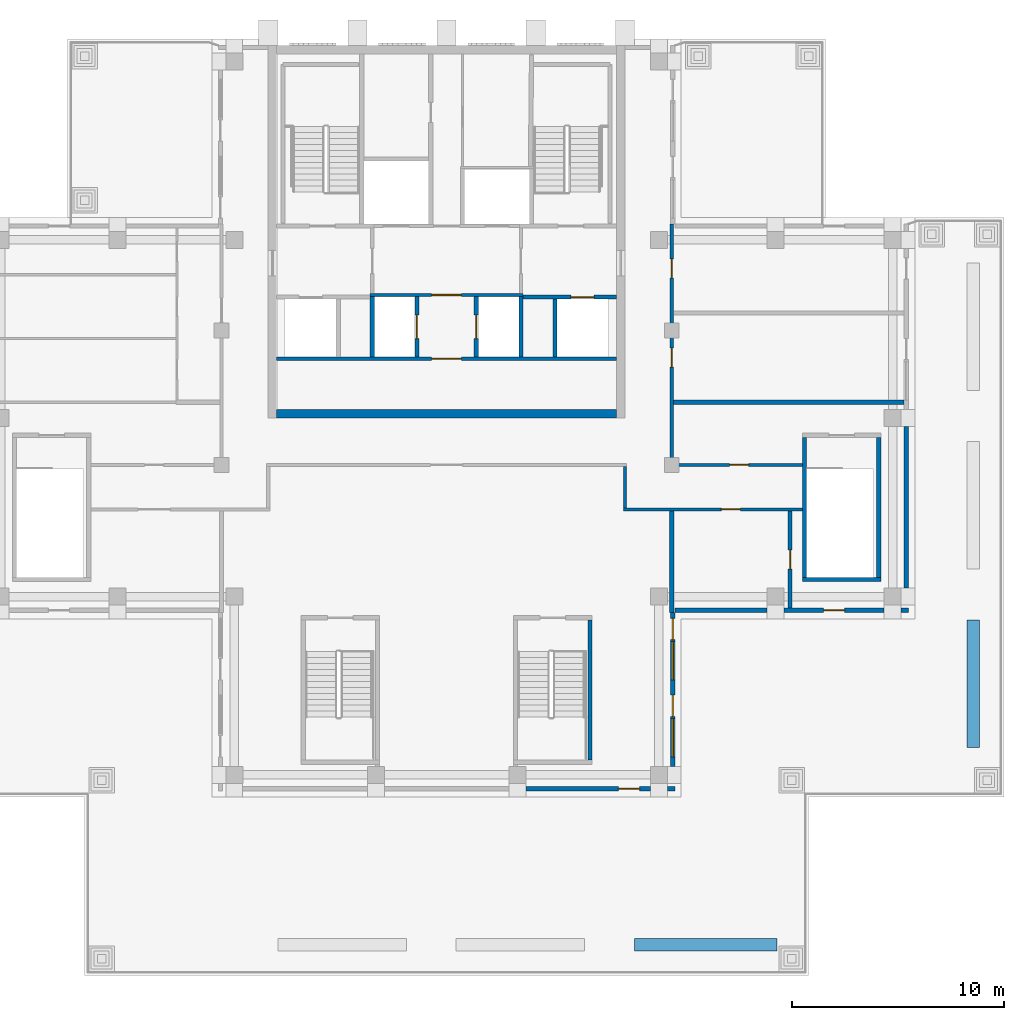
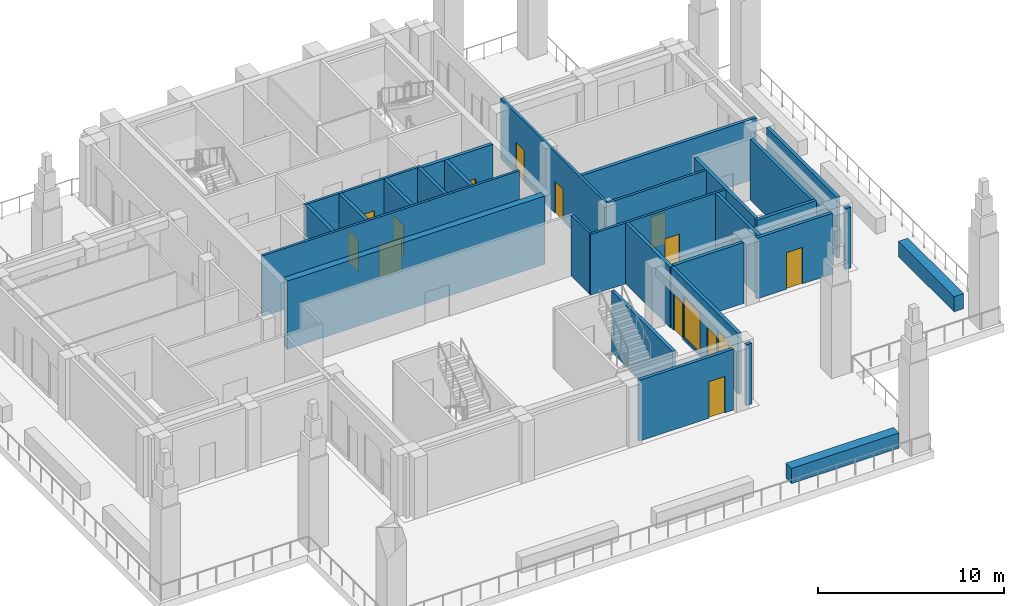
# One storey, part 3 of 10: 29 walls, 14 doors, 2 windows, 16 openings.
"""IFC4 building model written with IfcOpenShell, lengths in metres."""

from ifc_helpers import new_model, si_unit, direction, frame, frame_2d, origin, place, context, subcontext, project, spatial, rectangle, extrude, material, layer, layer_set, type_object, element, fill, save


model = new_model("IFC4")

# Units and contexts
model_context = context("Model", 3, precision=1e-05, world=origin(), true_north=direction((0.0, 1.0)))
body_context = subcontext(model_context, "Body", "Model", "MODEL_VIEW")
ifc_project = project(units=[si_unit("LENGTHUNIT", "METRE"), si_unit("AREAUNIT", "SQUARE_METRE"), si_unit("VOLUMEUNIT", "CUBIC_METRE"), si_unit("PLANEANGLEUNIT", "RADIAN"), si_unit("MASSUNIT", "GRAM", prefix="KILO")], contexts=[model_context])

# Site, building, storey
site_placement = place(None, origin())
site = spatial("IfcSite", under=ifc_project, at=site_placement, CompositionType="ELEMENT")
building_placement = place(site_placement, origin())
building = spatial("IfcBuilding", under=site, at=building_placement, Name="Vermilion Ogive Tower", CompositionType="ELEMENT")
storey_placement = place(building_placement, frame((0.0, 0.0, 269.35009765625)))
storey = spatial("IfcBuildingStorey", under=building, at=storey_placement, Name="L71", CompositionType="ELEMENT", Elevation=269.35009765625)

# Wall
ifc_material_1 = material(Name="Concrete B60", Category="concrete")
ifc_layer_1 = layer(ifc_material_1, 0.39990234375)
ifc_layer_set_1 = layer_set([ifc_layer_1], Name="Core wall 400 B60")
wall_type_1 = type_object("IfcWallType", Name="Core wall 400 B60", PredefinedType="SHEAR", material=ifc_layer_set_1)
wall_1_placement = place(storey_placement, frame((-8.0, 4.39990234375, -0.5), z_axis=(0.0, 0.0, 1.0), x_axis=(1.0, 0.0, 0.0)))
element("IfcWall", 1, at=wall_1_placement, inside=storey, type_object=wall_type_1, Name="L71-CORE-S", PredefinedType="SHEAR", context=body_context, shape_type="SweptSolid", body=[
    extrude(rectangle(XDim=16.0, YDim=0.39990234375, at=frame_2d((8.0, 0.0))), origin(), (0.0, 0.0, 1.0), 4.5),
])

# Wall, opening, door
ifc_material_2 = material(Name="Gypsum board partition on steel studs", Category="steel")
ifc_layer_2 = layer(ifc_material_2, 0.14990234375)
ifc_layer_set_2 = layer_set([ifc_layer_2], Name="Partition 150 corridor")
wall_type_2 = type_object("IfcWallType", Name="Partition 150 corridor", PredefinedType="PARTITIONING", material=ifc_layer_set_2)
wall_2_placement = place(storey_placement, frame((8.324951171875, -0.10009765625, 0.0), z_axis=(0.0, 0.0, 1.0), x_axis=(1.0, 0.0, 0.0)))
wall_2 = element("IfcWall", 2, at=wall_2_placement, inside=storey, type_object=wall_type_2, Name="L71-FS-W-W002", PredefinedType="PARTITIONING", context=body_context, shape_type="SweptSolid", body=[
    extrude(rectangle(XDim=8.425048828125, YDim=0.14990234375, at=frame_2d((4.21240234375, 0.0))), origin(), (0.0, 0.0, 1.0), 4.0),
])
opening_1_placement = place(wall_2_placement, frame((4.612548828125, 0.0, 0.0)))
opening_1 = element("IfcOpeningElement", 3, at=opening_1_placement, cuts=wall_2, Name="Opening L71S003", PredefinedType="OPENING", context=body_context, shape_type="SweptSolid", body=[
    extrude(rectangle(XDim=0.89990234375, YDim=2.10009765625, at=frame_2d((0.449951171875, 1.050048828125))), frame((0.0, 0.0849609375, 0.0), z_axis=(0.0, -1.0, 0.0), x_axis=(1.0, 0.0, 0.0)), (0.0, 0.0, 1.0), 0.169921875),
])
ifc_material_3 = material(Name="Timber door leaf", Category="wood")
door_type_1 = type_object("IfcDoorType", Name="Room door 900 x 2100 FD30", OperationType="SINGLE_SWING_LEFT", PredefinedType="DOOR", material=ifc_material_3)
door_1_placement = place(opening_1_placement, origin())
door_1 = element("IfcDoor", 4, at=door_1_placement, inside=storey, type_object=door_type_1, Name="L71-FS-D-D003", OperationType="SINGLE_SWING_LEFT", OverallHeight=2.10009765625, OverallWidth=0.89990234375, PredefinedType="DOOR", context=body_context, shape_type="SweptSolid", body=[
    extrude(rectangle(XDim=0.89990234375, YDim=2.10009765625, at=frame_2d((0.449951171875, 1.050048828125))), frame((0.0, 0.02490234375, 0.0), z_axis=(0.0, -1.0, 0.0), x_axis=(1.0, 0.0, 0.0)), (0.0, 0.0, 1.0), 0.050048828125),
])
fill(opening_1, door_1)

wall_3_placement = place(storey_placement, frame((10.52490234375, 2.0, 0.0), z_axis=(0.0, 0.0, 1.0), x_axis=(1.0, 0.0, 0.0)))
wall_3 = element("IfcWall", 5, at=wall_3_placement, inside=storey, type_object=wall_type_2, Name="L71-FS-W-W005", PredefinedType="PARTITIONING", context=body_context, shape_type="SweptSolid", body=[
    extrude(rectangle(XDim=6.22509765625, YDim=0.14990234375, at=frame_2d((3.112548828125, 0.0))), origin(), (0.0, 0.0, 1.0), 4.0),
])
opening_2_placement = place(wall_3_placement, frame((2.800048828125, 0.0, 0.0)))
opening_2 = element("IfcOpeningElement", 6, at=opening_2_placement, cuts=wall_3, Name="Opening L71S010", PredefinedType="OPENING", context=body_context, shape_type="SweptSolid", body=[
    extrude(rectangle(XDim=0.89990234375, YDim=2.10009765625, at=frame_2d((0.449951171875, 1.050048828125))), frame((0.0, 0.0849609375, 0.0), z_axis=(0.0, -1.0, 0.0), x_axis=(1.0, 0.0, 0.0)), (0.0, 0.0, 1.0), 0.169921875),
])
door_2_placement = place(opening_2_placement, origin())
door_2 = element("IfcDoor", 7, at=door_2_placement, inside=storey, type_object=door_type_1, Name="L71-FS-D-D010", OperationType="SINGLE_SWING_RIGHT", OverallHeight=2.10009765625, OverallWidth=0.89990234375, PredefinedType="DOOR", context=body_context, shape_type="SweptSolid", body=[
    extrude(rectangle(XDim=0.89990234375, YDim=2.10009765625, at=frame_2d((0.449951171875, 1.050048828125))), frame((0.0, 0.02490234375, 0.0), z_axis=(0.0, -1.0, 0.0), x_axis=(1.0, 0.0, 0.0)), (0.0, 0.0, 1.0), 0.050048828125),
])
fill(opening_2, door_2)

# Wall
wall_4_placement = place(storey_placement, frame((8.39990234375, -0.02490234375, 0.0), z_axis=(0.0, 0.0, 1.0), x_axis=(0.0, 1.0, 0.0)))
element("IfcWall", 8, at=wall_4_placement, inside=storey, type_object=wall_type_2, Name="L71-FS-W-W016", PredefinedType="PARTITIONING", context=body_context, shape_type="SweptSolid", body=[
    extrude(rectangle(XDim=1.949951171875, YDim=0.14990234375, at=frame_2d((0.97509765625, 0.0))), origin(), (0.0, 0.0, 1.0), 4.0),
])

# Wall, openings, doors
wall_5_placement = place(storey_placement, frame((10.60009765625, 2.074951171875, 0.0), z_axis=(0.0, 0.0, 1.0), x_axis=(0.0, 1.0, 0.0)))
wall_5 = element("IfcWall", 9, at=wall_5_placement, inside=storey, type_object=wall_type_2, Name="L71-FS-W-W018", PredefinedType="PARTITIONING", context=body_context, shape_type="SweptSolid", body=[
    extrude(rectangle(XDim=11.275146484375, YDim=0.14990234375, at=frame_2d((5.6376953125, 0.0))), origin(), (0.0, 0.0, 1.0), 4.0),
])
opening_3_placement = place(wall_5_placement, frame((4.525146484375, 0.0, 0.0)))
opening_3 = element("IfcOpeningElement", 10, at=opening_3_placement, cuts=wall_5, Name="Opening L71S011", PredefinedType="OPENING", context=body_context, shape_type="SweptSolid", body=[
    extrude(rectangle(XDim=0.89990234375, YDim=2.10009765625, at=frame_2d((0.449951171875, 1.050048828125))), frame((0.0, 0.0849609375, 0.0), z_axis=(0.0, -1.0, 0.0), x_axis=(1.0, 0.0, 0.0)), (0.0, 0.0, 1.0), 0.169921875),
])
opening_4_placement = place(wall_5_placement, frame((8.72509765625, 0.0, 0.0)))
opening_4 = element("IfcOpeningElement", 11, at=opening_4_placement, cuts=wall_5, Name="Opening L71S012", PredefinedType="OPENING", context=body_context, shape_type="SweptSolid", body=[
    extrude(rectangle(XDim=0.89990234375, YDim=2.10009765625, at=frame_2d((0.449951171875, 1.050048828125))), frame((0.0, 0.0849609375, 0.0), z_axis=(0.0, -1.0, 0.0), x_axis=(1.0, 0.0, 0.0)), (0.0, 0.0, 1.0), 0.169921875),
])
door_3_placement = place(opening_3_placement, origin())
door_3 = element("IfcDoor", 12, at=door_3_placement, inside=storey, type_object=door_type_1, Name="L71-FS-D-D011", OperationType="SINGLE_SWING_LEFT", OverallHeight=2.10009765625, OverallWidth=0.89990234375, PredefinedType="DOOR", context=body_context, shape_type="SweptSolid", body=[
    extrude(rectangle(XDim=0.89990234375, YDim=2.10009765625, at=frame_2d((0.449951171875, 1.050048828125))), frame((0.0, 0.02490234375, 0.0), z_axis=(0.0, -1.0, 0.0), x_axis=(1.0, 0.0, 0.0)), (0.0, 0.0, 1.0), 0.050048828125),
])
fill(opening_3, door_3)
door_4_placement = place(opening_4_placement, origin())
door_4 = element("IfcDoor", 13, at=door_4_placement, inside=storey, type_object=door_type_1, Name="L71-FS-D-D012", OperationType="SINGLE_SWING_LEFT", OverallHeight=2.10009765625, OverallWidth=0.89990234375, PredefinedType="DOOR", context=body_context, shape_type="SweptSolid", body=[
    extrude(rectangle(XDim=0.89990234375, YDim=2.10009765625, at=frame_2d((0.449951171875, 1.050048828125))), frame((0.0, 0.02490234375, 0.0), z_axis=(0.0, -1.0, 0.0), x_axis=(1.0, 0.0, 0.0)), (0.0, 0.0, 1.0), 0.050048828125),
])
fill(opening_4, door_4)

# Wall, opening, door
wall_6_placement = place(storey_placement, frame((-7.9990234375, 7.0, 0.0), z_axis=(0.0, 0.0, 1.0), x_axis=(1.0, 0.0, 0.0)))
wall_6 = element("IfcWall", 14, at=wall_6_placement, inside=storey, type_object=wall_type_2, Name="L71-CK-W-W001", PredefinedType="PARTITIONING", context=body_context, shape_type="SweptSolid", body=[
    extrude(rectangle(XDim=15.998046875, YDim=0.14990234375, at=frame_2d((7.9990234375, 0.0))), origin(), (0.0, 0.0, 1.0), 4.0),
])
opening_5_placement = place(wall_6_placement, frame((7.299072265625, 0.0, 0.0)))
opening_5 = element("IfcOpeningElement", 15, at=opening_5_placement, cuts=wall_6, Name="Opening DAE003", PredefinedType="OPENING", context=body_context, shape_type="SweptSolid", body=[
    extrude(rectangle(XDim=1.39990234375, YDim=2.10009765625, at=frame_2d((0.699951171875, 1.050048828125))), frame((0.0, 0.0849609375, 0.0), z_axis=(0.0, -1.0, 0.0), x_axis=(1.0, 0.0, 0.0)), (0.0, 0.0, 1.0), 0.169921875),
])
ifc_material_4 = material(Name="Timber door leaf", Category="wood")
door_type_2 = type_object("IfcDoorType", Name="Lobby door 1400 x 2100 FD60S", OperationType="SINGLE_SWING_LEFT", PredefinedType="DOOR", material=ifc_material_4)
door_5_placement = place(opening_5_placement, origin())
door_5 = element("IfcDoor", 16, at=door_5_placement, inside=storey, type_object=door_type_2, Name="L71-CK-D-D005", OperationType="SINGLE_SWING_RIGHT", OverallHeight=2.10009765625, OverallWidth=1.39990234375, PredefinedType="DOOR", context=body_context, shape_type="SweptSolid", body=[
    extrude(rectangle(XDim=1.39990234375, YDim=2.10009765625, at=frame_2d((0.699951171875, 1.050048828125))), frame((0.0, 0.02490234375, 0.0), z_axis=(0.0, -1.0, 0.0), x_axis=(1.0, 0.0, 0.0)), (0.0, 0.0, 1.0), 0.050048828125),
])
fill(opening_5, door_5)

wall_7_placement = place(storey_placement, frame((-3.60009765625, 10.0, 0.0), z_axis=(0.0, 0.0, 1.0), x_axis=(1.0, 0.0, 0.0)))
wall_7 = element("IfcWall", 17, at=wall_7_placement, inside=storey, type_object=wall_type_2, Name="L71-CK-W-W004", PredefinedType="PARTITIONING", context=body_context, shape_type="SweptSolid", body=[
    extrude(rectangle(XDim=7.2001953125, YDim=0.14990234375, at=frame_2d((3.60009765625, 0.0))), origin(), (0.0, 0.0, 1.0), 4.0),
])
opening_6_placement = place(wall_7_placement, frame((2.900146484375, 0.0, 0.0)))
opening_6 = element("IfcOpeningElement", 18, at=opening_6_placement, cuts=wall_7, Name="Opening DAE004", PredefinedType="OPENING", context=body_context, shape_type="SweptSolid", body=[
    extrude(rectangle(XDim=1.39990234375, YDim=2.10009765625, at=frame_2d((0.699951171875, 1.050048828125))), frame((0.0, 0.0849609375, 0.0), z_axis=(0.0, -1.0, 0.0), x_axis=(1.0, 0.0, 0.0)), (0.0, 0.0, 1.0), 0.169921875),
])
door_6_placement = place(opening_6_placement, origin())
door_6 = element("IfcDoor", 19, at=door_6_placement, inside=storey, type_object=door_type_2, Name="L71-CK-D-D006", OperationType="SINGLE_SWING_RIGHT", OverallHeight=2.10009765625, OverallWidth=1.39990234375, PredefinedType="DOOR", context=body_context, shape_type="SweptSolid", body=[
    extrude(rectangle(XDim=1.39990234375, YDim=2.10009765625, at=frame_2d((0.699951171875, 1.050048828125))), frame((0.0, 0.02490234375, 0.0), z_axis=(0.0, -1.0, 0.0), x_axis=(1.0, 0.0, 0.0)), (0.0, 0.0, 1.0), 0.050048828125),
])
fill(opening_6, door_6)

# Walls
ifc_material_5 = material(Name="Gypsum board partition on steel studs", Category="steel")
ifc_layer_3 = layer(ifc_material_5, 0.199951171875)
ifc_layer_set_3 = layer_set([ifc_layer_3], Name="Partition 200 party")
wall_type_3 = type_object("IfcWallType", Name="Partition 200 party", PredefinedType="PARTITIONING", material=ifc_layer_set_3)
wall_8_placement = place(storey_placement, frame((10.675048828125, 4.949951171875, 0.0), z_axis=(0.0, 0.0, 1.0), x_axis=(1.0, 0.0, 0.0)))
element("IfcWall", 20, at=wall_8_placement, inside=storey, type_object=wall_type_3, Name="L71-FS-W-W008", PredefinedType="PARTITIONING", context=body_context, shape_type="SweptSolid", body=[
    extrude(rectangle(XDim=10.875, YDim=0.199951171875, at=frame_2d((5.4375, 0.0))), origin(), (0.0, 0.0, 1.0), 4.0),
])
wall_9_placement = place(storey_placement, frame((10.60009765625, -4.949951171875, 0.0), z_axis=(0.0, 0.0, 1.0), x_axis=(0.0, 1.0, 0.0)))
element("IfcWall", 21, at=wall_9_placement, inside=storey, type_object=wall_type_3, Name="L71-FS-W-W017", PredefinedType="PARTITIONING", context=body_context, shape_type="SweptSolid", body=[
    extrude(rectangle(XDim=4.77490234375, YDim=0.199951171875, at=frame_2d((2.387451171875, 0.0))), origin(), (0.0, 0.0, 1.0), 4.0),
])

# Wall, opening, door
wall_10_placement = place(storey_placement, frame((16.175048828125, -4.75, 0.0), z_axis=(0.0, 0.0, 1.0), x_axis=(0.0, 1.0, 0.0)))
wall_10 = element("IfcWall", 22, at=wall_10_placement, inside=storey, type_object=wall_type_3, Name="L71-FS-W-W019", PredefinedType="PARTITIONING", context=body_context, shape_type="SweptSolid", body=[
    extrude(rectangle(XDim=4.574951171875, YDim=0.199951171875, at=frame_2d((2.28759765625, 0.0))), origin(), (0.0, 0.0, 1.0), 4.0),
])
opening_7_placement = place(wall_10_placement, frame((1.83740234375, 0.0, 0.0)))
opening_7 = element("IfcOpeningElement", 23, at=opening_7_placement, cuts=wall_10, Name="Opening L71S004", PredefinedType="OPENING", context=body_context, shape_type="SweptSolid", body=[
    extrude(rectangle(XDim=0.89990234375, YDim=2.10009765625, at=frame_2d((0.449951171875, 1.050048828125))), frame((0.0, 0.10986328125, 0.0), z_axis=(0.0, -1.0, 0.0), x_axis=(1.0, 0.0, 0.0)), (0.0, 0.0, 1.0), 0.219970703125),
])
door_7_placement = place(opening_7_placement, origin())
door_7 = element("IfcDoor", 24, at=door_7_placement, inside=storey, type_object=door_type_1, Name="L71-FS-D-D004", OperationType="SINGLE_SWING_LEFT", OverallHeight=2.10009765625, OverallWidth=0.89990234375, PredefinedType="DOOR", context=body_context, shape_type="SweptSolid", body=[
    extrude(rectangle(XDim=0.89990234375, YDim=2.10009765625, at=frame_2d((0.449951171875, 1.050048828125))), frame((0.0, 0.02490234375, 0.0), z_axis=(0.0, -1.0, 0.0), x_axis=(1.0, 0.0, 0.0)), (0.0, 0.0, 1.0), 0.050048828125),
])
fill(opening_7, door_7)

wall_11_placement = place(storey_placement, frame((3.60009765625, 9.89990234375, 0.0), z_axis=(0.0, 0.0, 1.0), x_axis=(1.0, 0.0, 0.0)))
wall_11 = element("IfcWall", 25, at=wall_11_placement, inside=storey, type_object=wall_type_3, Name="L71-CK-W-W003", PredefinedType="PARTITIONING", context=body_context, shape_type="SweptSolid", body=[
    extrude(rectangle(XDim=4.39892578125, YDim=0.199951171875, at=frame_2d((2.199462890625, 0.0))), origin(), (0.0, 0.0, 1.0), 4.0),
])
opening_8_placement = place(wall_11_placement, frame((2.25, 0.0, 0.0)))
opening_8 = element("IfcOpeningElement", 26, at=opening_8_placement, cuts=wall_11, Name="Opening DAE011", PredefinedType="OPENING", context=body_context, shape_type="SweptSolid", body=[
    extrude(rectangle(XDim=1.10009765625, YDim=2.10009765625, at=frame_2d((0.550048828125, 1.050048828125))), frame((0.0, 0.10986328125, 0.0), z_axis=(0.0, -1.0, 0.0), x_axis=(1.0, 0.0, 0.0)), (0.0, 0.0, 1.0), 0.219970703125),
])
ifc_material_6 = material(Name="Stainless steel", Category="steel")
door_type_3 = type_object("IfcDoorType", Name="Lift landing door 1100 x 2100", OperationType="SLIDING_TO_LEFT", PredefinedType="DOOR", material=ifc_material_6)
door_8_placement = place(opening_8_placement, origin())
door_8 = element("IfcDoor", 27, at=door_8_placement, inside=storey, type_object=door_type_3, Name="L71-CK-D-D004", OperationType="SLIDING_TO_LEFT", OverallHeight=2.10009765625, OverallWidth=1.10009765625, PredefinedType="DOOR", context=body_context, shape_type="SweptSolid", body=[
    extrude(rectangle(XDim=1.10009765625, YDim=2.10009765625, at=frame_2d((0.550048828125, 1.050048828125))), frame((0.0, 0.02490234375, 0.0), z_axis=(0.0, -1.0, 0.0), x_axis=(1.0, 0.0, 0.0)), (0.0, 0.0, 1.0), 0.050048828125),
])
fill(opening_8, door_8)

# Wall
wall_12_placement = place(storey_placement, frame((-3.5, 7.074951171875, 0.0), z_axis=(0.0, 0.0, 1.0), x_axis=(0.0, 1.0, 0.0)))
element("IfcWall", 28, at=wall_12_placement, inside=storey, type_object=wall_type_3, Name="L71-CK-W-W012", PredefinedType="PARTITIONING", context=body_context, shape_type="SweptSolid", body=[
    extrude(rectangle(XDim=2.85009765625, YDim=0.199951171875, at=frame_2d((1.425048828125, 0.0))), origin(), (0.0, 0.0, 1.0), 4.0),
])

# Wall, opening, door
wall_13_placement = place(storey_placement, frame((-1.39990234375, 7.074951171875, 0.0), z_axis=(0.0, 0.0, 1.0), x_axis=(0.0, 1.0, 0.0)))
wall_13 = element("IfcWall", 29, at=wall_13_placement, inside=storey, type_object=wall_type_3, Name="L71-CK-W-W014", PredefinedType="PARTITIONING", context=body_context, shape_type="SweptSolid", body=[
    extrude(rectangle(XDim=2.85009765625, YDim=0.199951171875, at=frame_2d((1.425048828125, 0.0))), origin(), (0.0, 0.0, 1.0), 4.0),
])
opening_9_placement = place(wall_13_placement, frame((0.875, 0.0, 0.0)))
opening_9 = element("IfcOpeningElement", 30, at=opening_9_placement, cuts=wall_13, Name="Opening DAE012", PredefinedType="OPENING", context=body_context, shape_type="SweptSolid", body=[
    extrude(rectangle(XDim=1.10009765625, YDim=2.10009765625, at=frame_2d((0.550048828125, 1.050048828125))), frame((0.0, 0.10986328125, 0.0), z_axis=(0.0, -1.0, 0.0), x_axis=(1.0, 0.0, 0.0)), (0.0, 0.0, 1.0), 0.219970703125),
])
door_9_placement = place(opening_9_placement, origin())
door_9 = element("IfcDoor", 31, at=door_9_placement, inside=storey, type_object=door_type_3, Name="L71-CK-D-D007", OperationType="SLIDING_TO_RIGHT", OverallHeight=2.10009765625, OverallWidth=1.10009765625, PredefinedType="DOOR", context=body_context, shape_type="SweptSolid", body=[
    extrude(rectangle(XDim=1.10009765625, YDim=2.10009765625, at=frame_2d((0.550048828125, 1.050048828125))), frame((0.0, 0.02490234375, 0.0), z_axis=(0.0, -1.0, 0.0), x_axis=(1.0, 0.0, 0.0)), (0.0, 0.0, 1.0), 0.050048828125),
])
fill(opening_9, door_9)

wall_14_placement = place(storey_placement, frame((1.39990234375, 7.074951171875, 0.0), z_axis=(0.0, 0.0, 1.0), x_axis=(0.0, 1.0, 0.0)))
wall_14 = element("IfcWall", 32, at=wall_14_placement, inside=storey, type_object=wall_type_3, Name="L71-CK-W-W018", PredefinedType="PARTITIONING", context=body_context, shape_type="SweptSolid", body=[
    extrude(rectangle(XDim=2.85009765625, YDim=0.199951171875, at=frame_2d((1.425048828125, 0.0))), origin(), (0.0, 0.0, 1.0), 4.0),
])
opening_10_placement = place(wall_14_placement, frame((0.875, 0.0, 0.0)))
opening_10 = element("IfcOpeningElement", 33, at=opening_10_placement, cuts=wall_14, Name="Opening DAE013", PredefinedType="OPENING", context=body_context, shape_type="SweptSolid", body=[
    extrude(rectangle(XDim=1.10009765625, YDim=2.10009765625, at=frame_2d((0.550048828125, 1.050048828125))), frame((0.0, 0.10986328125, 0.0), z_axis=(0.0, -1.0, 0.0), x_axis=(1.0, 0.0, 0.0)), (0.0, 0.0, 1.0), 0.219970703125),
])
door_10_placement = place(opening_10_placement, origin())
door_10 = element("IfcDoor", 34, at=door_10_placement, inside=storey, type_object=door_type_3, Name="L71-CK-D-D008", OperationType="SLIDING_TO_RIGHT", OverallHeight=2.10009765625, OverallWidth=1.10009765625, PredefinedType="DOOR", context=body_context, shape_type="SweptSolid", body=[
    extrude(rectangle(XDim=1.10009765625, YDim=2.10009765625, at=frame_2d((0.550048828125, 1.050048828125))), frame((0.0, 0.02490234375, 0.0), z_axis=(0.0, -1.0, 0.0), x_axis=(1.0, 0.0, 0.0)), (0.0, 0.0, 1.0), 0.050048828125),
])
fill(opening_10, door_10)

# Walls
wall_15_placement = place(storey_placement, frame((3.5, 7.074951171875, 0.0), z_axis=(0.0, 0.0, 1.0), x_axis=(0.0, 1.0, 0.0)))
element("IfcWall", 35, at=wall_15_placement, inside=storey, type_object=wall_type_3, Name="L71-CK-W-W019", PredefinedType="PARTITIONING", context=body_context, shape_type="SweptSolid", body=[
    extrude(rectangle(XDim=2.85009765625, YDim=0.199951171875, at=frame_2d((1.425048828125, 0.0))), origin(), (0.0, 0.0, 1.0), 4.0),
])
wall_16_placement = place(storey_placement, frame((5.10009765625, 7.074951171875, 0.0), z_axis=(0.0, 0.0, 1.0), x_axis=(0.0, 1.0, 0.0)))
element("IfcWall", 36, at=wall_16_placement, inside=storey, type_object=wall_type_3, Name="L71-CK-W-W023", PredefinedType="PARTITIONING", context=body_context, shape_type="SweptSolid", body=[
    extrude(rectangle(XDim=2.72509765625, YDim=0.199951171875, at=frame_2d((1.362548828125, 0.0))), origin(), (0.0, 0.0, 1.0), 4.0),
])
ifc_material_7 = material(Name="Concrete B60", Category="concrete")
ifc_layer_4 = layer(ifc_material_7, 0.199951171875)
ifc_layer_set_4 = layer_set([ifc_layer_4], Name="Stair enclosure wall 200 Concrete B60")
wall_type_4 = type_object("IfcWallType", Name="Stair enclosure wall 200 Concrete B60", PredefinedType="PARTITIONING", material=ifc_layer_set_4)
wall_17_placement = place(storey_placement, frame((16.75, -3.39990234375, 0.0), z_axis=(0.0, 0.0, 1.0), x_axis=(1.0, 0.0, 0.0)))
element("IfcWall", 37, at=wall_17_placement, inside=storey, type_object=wall_type_4, Name="L71-SW-ST8-S1", PredefinedType="PARTITIONING", context=body_context, shape_type="SweptSolid", body=[
    extrude(rectangle(XDim=3.699951171875, YDim=0.199951171875, at=frame_2d((1.85009765625, 0.0))), origin(), (0.0, 0.0, 1.0), 4.0),
])
for number, where, z_axis, x_axis, name in (
    (38, (16.85009765625, -3.300048828125, 0.0), (0.0, 0.0, 1.0), (0.0, 1.0, 0.0), "L71-SW-ST8-W1"),
    (39, (20.35009765625, -3.300048828125, 0.0), (0.0, 0.0, 1.0), (0.0, 1.0, 0.0), "L71-SW-ST8-E1"),
):
    element("IfcWall", number, at=place(storey_placement, frame(where, z_axis=z_axis, x_axis=x_axis)), inside=storey, type_object=wall_type_4, Name=name, PredefinedType="PARTITIONING", context=body_context, shape_type="SweptSolid", body=[
        extrude(rectangle(XDim=6.60009765625, YDim=0.199951171875, at=frame_2d((3.300048828125, 0.0))), origin(), (0.0, 0.0, 1.0), 4.0),
    ])
ifc_material_8 = material(Name="Concrete B60", Category="concrete")
ifc_layer_5 = layer(ifc_material_8, 0.199951171875)
ifc_layer_set_5 = layer_set([ifc_layer_5], Name="Stair shaft wall 200 Concrete B60")
wall_type_5 = type_object("IfcWallType", Name="Stair shaft wall 200 Concrete B60", PredefinedType="SOLIDWALL", material=ifc_layer_set_5)
wall_18_placement = place(storey_placement, frame((6.75, -11.89990234375, 0.0), z_axis=(0.0, 0.0, 1.0), x_axis=(0.0, 1.0, 0.0)))
element("IfcWall", 40, at=wall_18_placement, inside=storey, type_object=wall_type_5, Name="L71-SW-ST6-E1", PredefinedType="SOLIDWALL", context=body_context, shape_type="SweptSolid", body=[
    extrude(rectangle(XDim=6.599853515625, YDim=0.199951171875, at=frame_2d((3.2998046875, 0.0))), origin(), (0.0, 0.0, 1.0), 4.0),
])
ifc_material_9 = material(Name="Concrete B40", Category="concrete")
ifc_layer_6 = layer(ifc_material_9, 0.60009765625)
ifc_layer_set_6 = layer_set([ifc_layer_6], Name="Terrace planter")
wall_type_6 = type_object("IfcWallType", Name="Terrace planter", PredefinedType="USERDEFINED", material=ifc_layer_set_6)
wall_19_placement = place(storey_placement, frame((24.800048828125, -5.300048828125, 0.0), z_axis=(0.0, 0.0, 1.0), x_axis=(0.0, -1.0, 0.0)))
element("IfcWall", 41, at=wall_19_placement, inside=storey, type_object=wall_type_6, Name="Terrace planter 1.1.3", ObjectType="PLANTER", PredefinedType="USERDEFINED", context=body_context, shape_type="SweptSolid", body=[
    extrude(rectangle(XDim=6.0, YDim=0.60009765625, at=frame_2d((3.0, 0.0))), origin(), (0.0, 0.0, 1.0), 1.0),
])
wall_20_placement = place(storey_placement, frame((15.550048828125, -20.60009765625, 0.0), z_axis=(0.0, 0.0, 1.0), x_axis=(-1.0, 0.0, 0.0)))
element("IfcWall", 42, at=wall_20_placement, inside=storey, type_object=wall_type_6, Name="Terrace planter 1.1.4", ObjectType="PLANTER", PredefinedType="USERDEFINED", context=body_context, shape_type="SweptSolid", body=[
    extrude(rectangle(XDim=6.699951171875, YDim=0.60009765625, at=frame_2d((3.35009765625, 0.0))), origin(), (0.0, 0.0, 1.0), 1.0),
])

# Wall, opening, door
ifc_material_10 = material(Name="Aluminium window wall framing", Category="aluminium")
ifc_layer_7 = layer(ifc_material_10, 0.199951171875)
ifc_layer_set_7 = layer_set([ifc_layer_7], Name="Window wall")
wall_type_7 = type_object("IfcWallType", Name="Window wall", PredefinedType="STANDARD", material=ifc_layer_set_7)
wall_21_placement = place(storey_placement, frame((3.7333984375, -13.25, 0.0), z_axis=(0.0, 0.0, 1.0), x_axis=(1.0, 0.0, 0.0)))
wall_21 = element("IfcWall", 43, at=wall_21_placement, inside=storey, type_object=wall_type_7, Name="Window wall S3", PredefinedType="STANDARD", context=body_context, shape_type="SweptSolid", body=[
    extrude(rectangle(XDim=5.86669921875, YDim=0.199951171875, at=frame_2d((2.933349609375, 0.0))), origin(), (0.0, 0.0, 1.0), 4.0),
])
opening_11_placement = place(wall_21_placement, frame((4.353271484375, 0.0, 0.0)))
opening_11 = element("IfcOpeningElement", 44, at=opening_11_placement, cuts=wall_21, Name="Opening D1-SX", PredefinedType="OPENING", context=body_context, shape_type="SweptSolid", body=[
    extrude(rectangle(XDim=1.0, YDim=2.39990234375, at=frame_2d((0.5, 1.199951171875))), frame((0.0, 0.10986328125, 0.0), z_axis=(0.0, -1.0, 0.0), x_axis=(1.0, 0.0, 0.0)), (0.0, 0.0, 1.0), 0.219970703125),
])
ifc_material_11 = material(Name="Aluminium framed glazed door", Category="aluminium")
door_type_4 = type_object("IfcDoorType", Name="Balcony door D1", OperationType="SINGLE_SWING_LEFT", PredefinedType="DOOR", material=ifc_material_11)
door_11_placement = place(opening_11_placement, origin())
door_11 = element("IfcDoor", 45, at=door_11_placement, inside=storey, type_object=door_type_4, Name="Balcony door SX", OperationType="SINGLE_SWING_LEFT", OverallHeight=2.39990234375, OverallWidth=1.0, PredefinedType="DOOR", context=body_context, shape_type="SweptSolid", body=[
    extrude(rectangle(XDim=1.0, YDim=2.39990234375, at=frame_2d((0.5, 1.199951171875))), frame((0.0, 0.02490234375, 0.0), z_axis=(0.0, -1.0, 0.0), x_axis=(1.0, 0.0, 0.0)), (0.0, 0.0, 1.0), 0.050048828125),
])
fill(opening_11, door_11)

# Wall
wall_22_placement = place(storey_placement, frame((10.39990234375, -13.25, 0.0), z_axis=(0.0, 0.0, 1.0), x_axis=(1.0, 0.0, 0.0)))
element("IfcWall", 46, at=wall_22_placement, inside=storey, type_object=wall_type_7, Name="Window wall S4", PredefinedType="STANDARD", context=body_context, shape_type="SweptSolid", body=[
    extrude(rectangle(XDim=0.35009765625, YDim=0.199951171875, at=frame_2d((0.175048828125, 0.0))), origin(), (0.0, 0.0, 1.0), 4.0),
])

# Wall, openings, doors, windows
wall_23_placement = place(storey_placement, frame((10.64990234375, -12.199951171875, 0.0), z_axis=(0.0, 0.0, 1.0), x_axis=(0.0, 1.0, 0.0)))
wall_23 = element("IfcWall", 47, at=wall_23_placement, inside=storey, type_object=wall_type_7, Name="Window wall X11", PredefinedType="STANDARD", context=body_context, shape_type="SweptSolid", body=[
    extrude(rectangle(XDim=7.25, YDim=0.199951171875, at=frame_2d((3.625, 0.0))), origin(), (0.0, 0.0, 1.0), 4.0),
])
opening_12_placement = place(wall_23_placement, frame((0.449951171875, 0.0, 0.199951171875)))
opening_12 = element("IfcOpeningElement", 48, at=opening_12_placement, cuts=wall_23, Name="Opening W1-X197", PredefinedType="OPENING", context=body_context, shape_type="SweptSolid", body=[
    extrude(rectangle(XDim=1.800048828125, YDim=2.64990234375, at=frame_2d((0.89990234375, 1.324951171875))), frame((0.0, 0.10986328125, 0.0), z_axis=(0.0, -1.0, 0.0), x_axis=(1.0, 0.0, 0.0)), (0.0, 0.0, 1.0), 0.219970703125),
])
opening_13_placement = place(wall_23_placement, frame((2.35009765625, 0.0, 0.0)))
opening_13 = element("IfcOpeningElement", 49, at=opening_13_placement, cuts=wall_23, Name="Opening D1-X197", PredefinedType="OPENING", context=body_context, shape_type="SweptSolid", body=[
    extrude(rectangle(XDim=1.0, YDim=2.39990234375, at=frame_2d((0.5, 1.199951171875))), frame((0.0, 0.10986328125, 0.0), z_axis=(0.0, -1.0, 0.0), x_axis=(1.0, 0.0, 0.0)), (0.0, 0.0, 1.0), 0.219970703125),
])
opening_14_placement = place(wall_23_placement, frame((4.074951171875, 0.0, 0.199951171875)))
opening_14 = element("IfcOpeningElement", 50, at=opening_14_placement, cuts=wall_23, Name="Opening W1-X198", PredefinedType="OPENING", context=body_context, shape_type="SweptSolid", body=[
    extrude(rectangle(XDim=1.800048828125, YDim=2.64990234375, at=frame_2d((0.89990234375, 1.324951171875))), frame((0.0, 0.10986328125, 0.0), z_axis=(0.0, -1.0, 0.0), x_axis=(1.0, 0.0, 0.0)), (0.0, 0.0, 1.0), 0.219970703125),
])
opening_15_placement = place(wall_23_placement, frame((5.97509765625, 0.0, 0.0)))
opening_15 = element("IfcOpeningElement", 51, at=opening_15_placement, cuts=wall_23, Name="Opening D1-X198", PredefinedType="OPENING", context=body_context, shape_type="SweptSolid", body=[
    extrude(rectangle(XDim=1.0, YDim=2.39990234375, at=frame_2d((0.5, 1.199951171875))), frame((0.0, 0.10986328125, 0.0), z_axis=(0.0, -1.0, 0.0), x_axis=(1.0, 0.0, 0.0)), (0.0, 0.0, 1.0), 0.219970703125),
])
door_12_placement = place(opening_13_placement, origin())
door_12 = element("IfcDoor", 52, at=door_12_placement, inside=storey, type_object=door_type_4, Name="Balcony door X197", OperationType="SINGLE_SWING_LEFT", OverallHeight=2.39990234375, OverallWidth=1.0, PredefinedType="DOOR", context=body_context, shape_type="SweptSolid", body=[
    extrude(rectangle(XDim=1.0, YDim=2.39990234375, at=frame_2d((0.5, 1.199951171875))), frame((0.0, 0.02490234375, 0.0), z_axis=(0.0, -1.0, 0.0), x_axis=(1.0, 0.0, 0.0)), (0.0, 0.0, 1.0), 0.050048828125),
])
fill(opening_13, door_12)
door_13_placement = place(opening_15_placement, origin())
door_13 = element("IfcDoor", 53, at=door_13_placement, inside=storey, type_object=door_type_4, Name="Balcony door X198", OperationType="SINGLE_SWING_LEFT", OverallHeight=2.39990234375, OverallWidth=1.0, PredefinedType="DOOR", context=body_context, shape_type="SweptSolid", body=[
    extrude(rectangle(XDim=1.0, YDim=2.39990234375, at=frame_2d((0.5, 1.199951171875))), frame((0.0, 0.02490234375, 0.0), z_axis=(0.0, -1.0, 0.0), x_axis=(1.0, 0.0, 0.0)), (0.0, 0.0, 1.0), 0.050048828125),
])
fill(opening_15, door_13)
ifc_material_12 = material(Name="Aluminium framed double glazing", Category="aluminium")
window_type = type_object("IfcWindowType", Name="Guest window W1", PartitioningType="SINGLE_PANEL", PredefinedType="WINDOW", material=ifc_material_12)
window_1_placement = place(opening_12_placement, origin())
window_1 = element("IfcWindow", 54, at=window_1_placement, inside=storey, type_object=window_type, Name="Window X197", OverallHeight=2.64990234375, OverallWidth=1.800048828125, PartitioningType="SINGLE_PANEL", PredefinedType="WINDOW", context=body_context, shape_type="SweptSolid", body=[
    extrude(rectangle(XDim=1.800048828125, YDim=2.64990234375, at=frame_2d((0.89990234375, 1.324951171875))), frame((0.0, 0.030029296875, 0.0), z_axis=(0.0, -1.0, 0.0), x_axis=(1.0, 0.0, 0.0)), (0.0, 0.0, 1.0), 0.06005859375),
])
fill(opening_12, window_1)
window_2_placement = place(opening_14_placement, origin())
window_2 = element("IfcWindow", 55, at=window_2_placement, inside=storey, type_object=window_type, Name="Window X198", OverallHeight=2.64990234375, OverallWidth=1.800048828125, PartitioningType="SINGLE_PANEL", PredefinedType="WINDOW", context=body_context, shape_type="SweptSolid", body=[
    extrude(rectangle(XDim=1.800048828125, YDim=2.64990234375, at=frame_2d((0.89990234375, 1.324951171875))), frame((0.0, 0.030029296875, 0.0), z_axis=(0.0, -1.0, 0.0), x_axis=(1.0, 0.0, 0.0)), (0.0, 0.0, 1.0), 0.06005859375),
])
fill(opening_14, window_2)

# Wall
wall_24_placement = place(storey_placement, frame((10.75, -4.85009765625, 0.0), z_axis=(0.0, 0.0, 1.0), x_axis=(1.0, 0.0, 0.0)))
element("IfcWall", 56, at=wall_24_placement, inside=storey, type_object=wall_type_7, Name="Window wall X21", PredefinedType="STANDARD", context=body_context, shape_type="SweptSolid", body=[
    extrude(rectangle(XDim=4.35009765625, YDim=0.199951171875, at=frame_2d((2.175048828125, 0.0))), origin(), (0.0, 0.0, 1.0), 4.0),
])

# Wall, opening, door
wall_25_placement = place(storey_placement, frame((15.89990234375, -4.85009765625, 0.0), z_axis=(0.0, 0.0, 1.0), x_axis=(1.0, 0.0, 0.0)))
wall_25 = element("IfcWall", 57, at=wall_25_placement, inside=storey, type_object=wall_type_7, Name="Window wall X22", PredefinedType="STANDARD", context=body_context, shape_type="SweptSolid", body=[
    extrude(rectangle(XDim=4.7001953125, YDim=0.199951171875, at=frame_2d((2.35009765625, 0.0))), origin(), (0.0, 0.0, 1.0), 4.0),
])
opening_16_placement = place(wall_25_placement, frame((1.85009765625, 0.0, 0.0)))
opening_16 = element("IfcOpeningElement", 58, at=opening_16_placement, cuts=wall_25, Name="Opening D1-X2X", PredefinedType="OPENING", context=body_context, shape_type="SweptSolid", body=[
    extrude(rectangle(XDim=1.0, YDim=2.39990234375, at=frame_2d((0.5, 1.199951171875))), frame((0.0, 0.10986328125, 0.0), z_axis=(0.0, -1.0, 0.0), x_axis=(1.0, 0.0, 0.0)), (0.0, 0.0, 1.0), 0.219970703125),
])
door_14_placement = place(opening_16_placement, origin())
door_14 = element("IfcDoor", 59, at=door_14_placement, inside=storey, type_object=door_type_4, Name="Balcony door X2X", OperationType="SINGLE_SWING_LEFT", OverallHeight=2.39990234375, OverallWidth=1.0, PredefinedType="DOOR", context=body_context, shape_type="SweptSolid", body=[
    extrude(rectangle(XDim=1.0, YDim=2.39990234375, at=frame_2d((0.5, 1.199951171875))), frame((0.0, 0.02490234375, 0.0), z_axis=(0.0, -1.0, 0.0), x_axis=(1.0, 0.0, 0.0)), (0.0, 0.0, 1.0), 0.050048828125),
])
fill(opening_16, door_14)

# Walls
wall_26_placement = place(storey_placement, frame((21.39990234375, -4.85009765625, 0.0), z_axis=(0.0, 0.0, 1.0), x_axis=(1.0, 0.0, 0.0)))
element("IfcWall", 60, at=wall_26_placement, inside=storey, type_object=wall_type_7, Name="Window wall X23", PredefinedType="STANDARD", context=body_context, shape_type="SweptSolid", body=[
    extrude(rectangle(XDim=0.35009765625, YDim=0.199951171875, at=frame_2d((0.175048828125, 0.0))), origin(), (0.0, 0.0, 1.0), 4.0),
])
wall_27_placement = place(storey_placement, frame((21.64990234375, -3.800048828125, 0.0), z_axis=(0.0, 0.0, 1.0), x_axis=(0.0, 1.0, 0.0)))
element("IfcWall", 61, at=wall_27_placement, inside=storey, type_object=wall_type_7, Name="Window wall E1", PredefinedType="STANDARD", context=body_context, shape_type="SweptSolid", body=[
    extrude(rectangle(XDim=7.60009765625, YDim=0.199951171875, at=frame_2d((3.800048828125, 0.0))), origin(), (0.0, 0.0, 1.0), 4.0),
])

save(model, "model.ifc")
